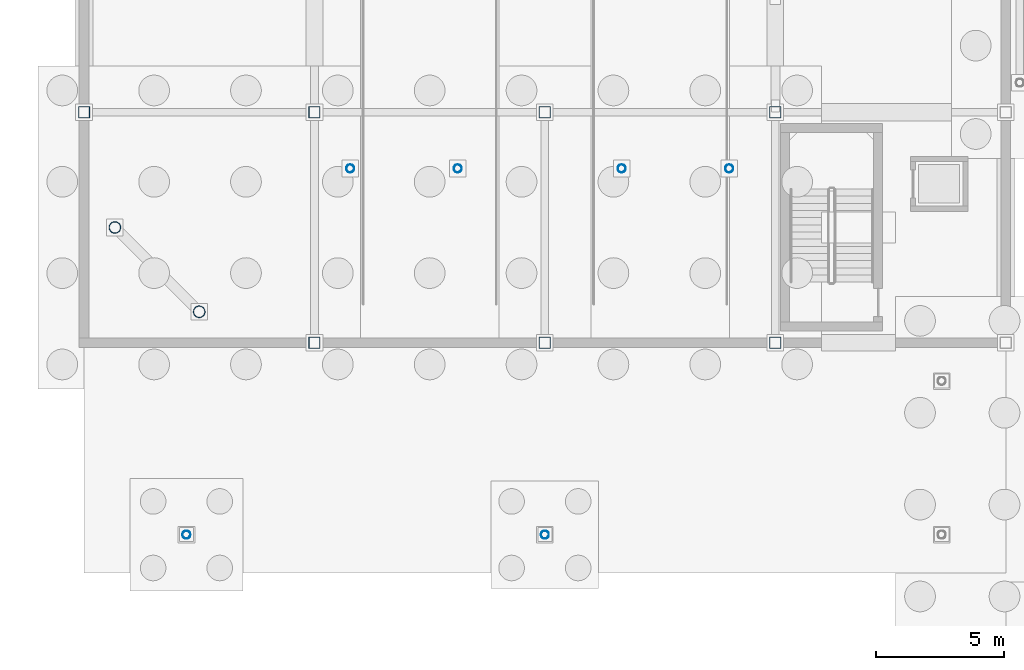
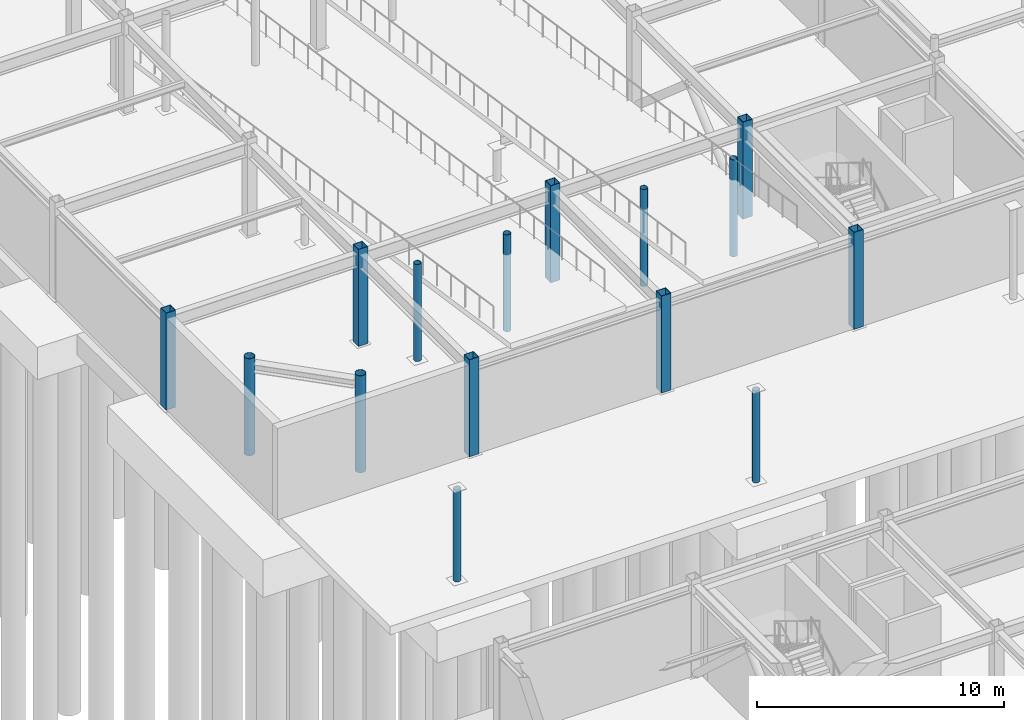
# One storey, part 24 of 74: 15 columns.
"""IFC4 building model written with IfcOpenShell, lengths in metres."""

from ifc_helpers import new_model, si_unit, direction, frame, origin, origin_2d, place, context, subcontext, project, spatial, hollow_rectangle, hollow_circle, extrude, material, material_profile, profile_set, type_object, element, save


model = new_model("IFC4")

# Units and contexts
model_context = context("Model", 3, precision=1e-05, world=origin(), true_north=direction((0.0, 1.0)))
body_context = subcontext(model_context, "Body", "Model", "MODEL_VIEW")
ifc_project = project(units=[si_unit("LENGTHUNIT", "METRE"), si_unit("AREAUNIT", "SQUARE_METRE"), si_unit("VOLUMEUNIT", "CUBIC_METRE"), si_unit("PLANEANGLEUNIT", "RADIAN"), si_unit("MASSUNIT", "GRAM", prefix="KILO")], contexts=[model_context])

# Site, building, storey
site_placement = place(None, origin())
site = spatial("IfcSite", under=ifc_project, at=site_placement, CompositionType="ELEMENT")
building_placement = place(site_placement, origin())
building = spatial("IfcBuilding", under=site, at=building_placement, Name="Suzunagisa Mobility Hub", CompositionType="ELEMENT")
storey_placement = place(building_placement, frame((0.0, 0.0, -4.800048828125)))
storey = spatial("IfcBuildingStorey", under=building, at=storey_placement, Name="B1", CompositionType="ELEMENT", Elevation=-4.800048828125)

# Columns
ifc_material = material(Name="Steel SN490B", Category="steel")
ifc_material_profile_1 = material_profile(ifc_material, hollow_circle(Radius=0.228515625, WallThickness=0.01611328125, at=origin_2d()), Name="CHS-457.2x16.0")
ifc_profile_set_1 = profile_set([ifc_material_profile_1], Name="Steel SN490B")
column_type_1 = type_object("IfcColumnType", Name="Steel Column CL-08 CHS-457.2x16.0", PredefinedType="COLUMN", material=ifc_profile_set_1)
for number, where, z_axis, x_axis, name in (
    (1, (1.205810546875, 84.5, 0.0), (0.0, 0.0, 1.0), (1.0, 0.0, 0.0), "B1 Column 13"),
    (2, (4.5, 81.205810546875, 0.0), (0.0, 0.0, 1.0), (1.0, 0.0, 0.0), "B1 Column 18"),
):
    element("IfcColumn", number, at=place(storey_placement, frame(where, z_axis=z_axis, x_axis=x_axis)), inside=storey, type_object=column_type_1, Name=name, PredefinedType="COLUMN", context=body_context, shape_type="SweptSolid", body=[
        extrude(hollow_circle(Radius=0.228515625, WallThickness=0.01611328125, at=origin_2d()), origin(), (0.0, 0.0, 1.0), 4.800048828125),
    ])
ifc_material_profile_2 = material_profile(ifc_material, hollow_circle(Radius=0.1591796875, WallThickness=0.01025390625, at=origin_2d()), Name="CHS-318.5x10.3")
ifc_profile_set_2 = profile_set([ifc_material_profile_2], Name="Steel SN490B")
column_type_2 = type_object("IfcColumnType", Name="Steel Column CL-09 CHS-318.5x10.3", PredefinedType="COLUMN", material=ifc_profile_set_2)
column_1_placement = place(storey_placement, frame((4.0, 72.5, 0.0), z_axis=(0.0, 0.0, 1.0), x_axis=(1.0, 0.0, 0.0)))
element("IfcColumn", 3, at=column_1_placement, inside=storey, type_object=column_type_2, Name="B1 Column 15", PredefinedType="COLUMN", context=body_context, shape_type="SweptSolid", body=[
    extrude(hollow_circle(Radius=0.1591796875, WallThickness=0.01025390625, at=origin_2d()), origin(), (0.0, 0.0, 1.0), 4.554931640625),
])
for number, where, z_axis, x_axis, name in (
    (4, (10.39990234375, 86.800048828125, 0.0), (0.0, 0.0, 1.0), (1.0, 0.0, 0.0), "B1 Column 35"),
    (5, (14.60009765625, 86.800048828125, 0.0), (0.0, 0.0, 1.0), (1.0, 0.0, 0.0), "B1 Column 38"),
):
    element("IfcColumn", number, at=place(storey_placement, frame(where, z_axis=z_axis, x_axis=x_axis)), inside=storey, type_object=column_type_2, Name=name, PredefinedType="COLUMN", context=body_context, shape_type="SweptSolid", body=[
        extrude(hollow_circle(Radius=0.1591796875, WallThickness=0.01025390625, at=origin_2d()), origin(), (0.0, 0.0, 1.0), 4.800048828125),
    ])
column_2_placement = place(storey_placement, frame((18.0, 72.5, 0.0), z_axis=(0.0, 0.0, 1.0), x_axis=(1.0, 0.0, 0.0)))
element("IfcColumn", 6, at=column_2_placement, inside=storey, type_object=column_type_2, Name="B1 Column 49", PredefinedType="COLUMN", context=body_context, shape_type="SweptSolid", body=[
    extrude(hollow_circle(Radius=0.1591796875, WallThickness=0.01025390625, at=origin_2d()), origin(), (0.0, 0.0, 1.0), 4.554931640625),
])
for number, where, z_axis, x_axis, name in (
    (7, (21.0, 86.800048828125, 0.0), (0.0, 0.0, 1.0), (1.0, 0.0, 0.0), "B1 Column 55"),
    (8, (25.199951171875, 86.800048828125, 0.0), (0.0, 0.0, 1.0), (1.0, 0.0, 0.0), "B1 Column 57"),
):
    element("IfcColumn", number, at=place(storey_placement, frame(where, z_axis=z_axis, x_axis=x_axis)), inside=storey, type_object=column_type_2, Name=name, PredefinedType="COLUMN", context=body_context, shape_type="SweptSolid", body=[
        extrude(hollow_circle(Radius=0.1591796875, WallThickness=0.01025390625, at=origin_2d()), origin(), (0.0, 0.0, 1.0), 4.800048828125),
    ])
ifc_material_profile_3 = material_profile(ifc_material, hollow_rectangle(XDim=0.449951171875, YDim=0.449951171875, WallThickness=0.02197265625, at=origin_2d()), Name="BCR-450x450x22")
ifc_profile_set_3 = profile_set([ifc_material_profile_3], Name="Steel SN490B")
column_type_3 = type_object("IfcColumnType", Name="Steel Column CL-17 BCR-450x450x22", PredefinedType="COLUMN", material=ifc_profile_set_3)
for number, where, z_axis, x_axis, name in (
    (9, (0.0, 89.0, 0.0), (0.0, 0.0, 1.0), (1.0, 0.0, 0.0), "B1 Column 8"),
    (10, (9.0, 80.0, 0.0), (0.0, 0.0, 1.0), (1.0, 0.0, 0.0), "B1 Column 28"),
    (11, (9.0, 89.0, 0.0), (0.0, 0.0, 1.0), (1.0, 0.0, 0.0), "B1 Column 29"),
    (12, (18.0, 80.0, 0.0), (0.0, 0.0, 1.0), (1.0, 0.0, 0.0), "B1 Column 50"),
    (13, (18.0, 89.0, 0.0), (0.0, 0.0, 1.0), (1.0, 0.0, 0.0), "B1 Column 51"),
    (14, (27.0, 80.0, 0.0), (0.0, 0.0, 1.0), (1.0, 0.0, 0.0), "B1 Column 70"),
    (15, (27.0, 89.0, 0.0), (0.0, 0.0, 1.0), (1.0, 0.0, 0.0), "B1 Column 71"),
):
    element("IfcColumn", number, at=place(storey_placement, frame(where, z_axis=z_axis, x_axis=x_axis)), inside=storey, type_object=column_type_3, Name=name, PredefinedType="COLUMN", context=body_context, shape_type="SweptSolid", body=[
        extrude(hollow_rectangle(XDim=0.449951171875, YDim=0.449951171875, WallThickness=0.02197265625, at=origin_2d()), origin(), (0.0, 0.0, 1.0), 4.800048828125),
    ])

save(model, "model.ifc")
